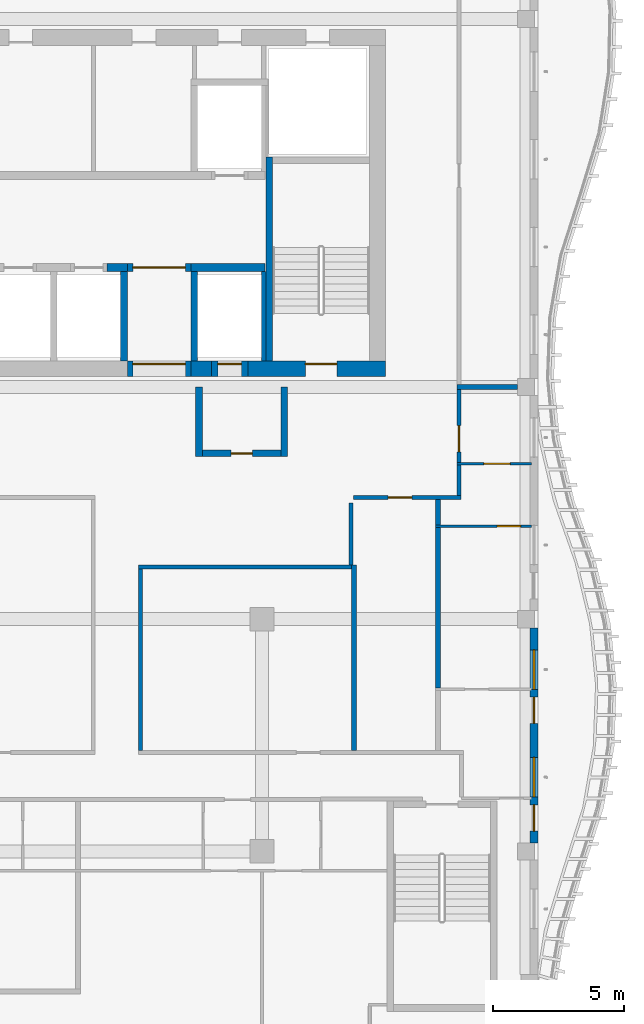
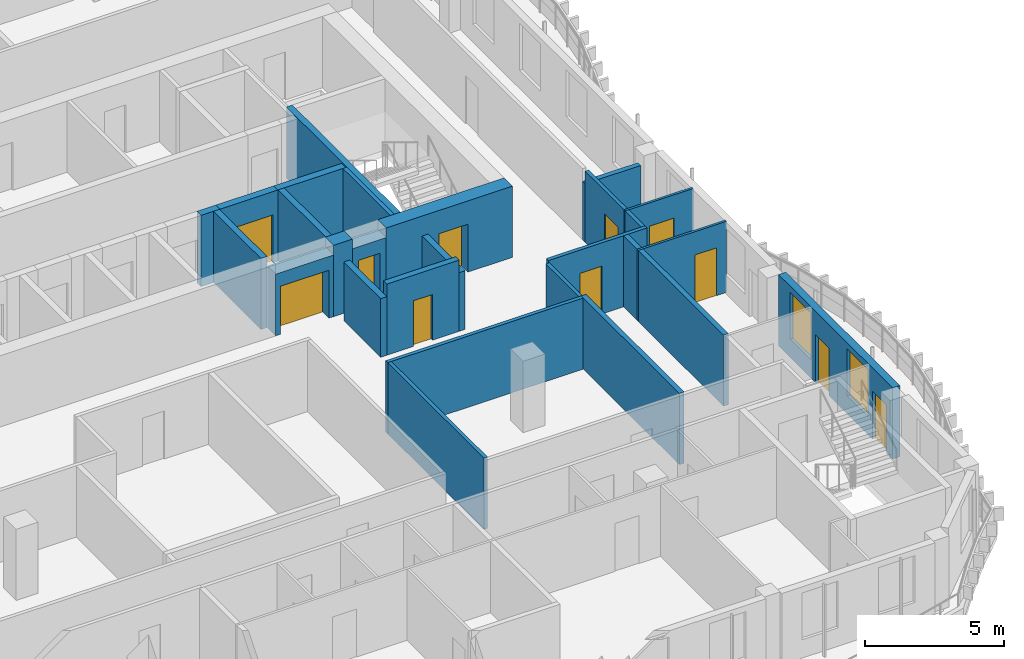
# One storey, part 6 of 18: 27 walls, 11 doors, 2 windows, 13 openings.
"""IFC4 building model written with IfcOpenShell, lengths in metres."""

from ifc_helpers import new_model, si_unit, direction, frame, frame_2d, origin, place, context, subcontext, project, spatial, rectangle, extrude, source, transform, mapped, material, layer, layer_set, type_object, element, fill, save


model = new_model("IFC4")

# Units and contexts
model_context = context("Model", 3, precision=1e-05, world=origin(), true_north=direction((0.0, 1.0)))
body_context = subcontext(model_context, "Body", "Model", "MODEL_VIEW")
ifc_project = project(units=[si_unit("LENGTHUNIT", "METRE"), si_unit("AREAUNIT", "SQUARE_METRE"), si_unit("VOLUMEUNIT", "CUBIC_METRE"), si_unit("PLANEANGLEUNIT", "RADIAN"), si_unit("MASSUNIT", "GRAM", prefix="KILO")], contexts=[model_context])

# Site, building, storey
site_placement = place(None, origin())
site = spatial("IfcSite", under=ifc_project, at=site_placement, CompositionType="ELEMENT")
building_placement = place(site_placement, origin())
building = spatial("IfcBuilding", under=site, at=building_placement, Name="Kilnfold Tower and Market Hall", CompositionType="ELEMENT")
storey_placement = place(building_placement, frame((0.0, 0.0, 270.39990234375)))
storey = spatial("IfcBuildingStorey", under=building, at=storey_placement, Name="L66", CompositionType="ELEMENT", Elevation=270.39990234375)

# Wall
ifc_material_1 = material(Name="Gypsum board on steel studs", Category="steel")
ifc_layer_1 = layer(ifc_material_1, 0.14990234375)
ifc_layer_set_1 = layer_set([ifc_layer_1], Name="Gypsum board on steel studs")
wall_type_1 = type_object("IfcWallType", Name="WALL CORRIDOR 150", PredefinedType="PARTITIONING", material=ifc_layer_set_1)
wall_1_placement = place(storey_placement, frame((20.5, 3.875, 0.0), z_axis=(0.0, 0.0, 1.0), x_axis=(0.0, 1.0, 0.0)))
element("IfcWall", 1, at=wall_1_placement, inside=storey, type_object=wall_type_1, Name="Partition LY41.18", PredefinedType="PARTITIONING", context=body_context, shape_type="SweptSolid", body=[
    extrude(rectangle(XDim=1.16796875, YDim=0.14990234375, at=frame_2d((0.583984375, 0.0))), origin(), (0.0, 0.0, 1.0), 3.1201171875),
])

# Wall, opening, door
wall_2_placement = place(storey_placement, frame((20.5, 5.123046875, 0.0), z_axis=(0.0, 0.0, 1.0), x_axis=(0.0, 1.0, 0.0)))
wall_2 = element("IfcWall", 2, at=wall_2_placement, inside=storey, type_object=wall_type_1, Name="Partition LY41.19", PredefinedType="PARTITIONING", context=body_context, shape_type="SweptSolid", body=[
    extrude(rectangle(XDim=2.786865234375, YDim=0.14990234375, at=frame_2d((1.3935546875, 0.0))), origin(), (0.0, 0.0, 1.0), 3.1201171875),
])
opening_1_placement = place(wall_2_placement, frame((0.4130859375, 0.0, 0.0)))
opening_1 = element("IfcOpeningElement", 3, at=opening_1_placement, cuts=wall_2, Name="Opening D1", PredefinedType="OPENING", context=body_context, shape_type="SweptSolid", body=[
    extrude(rectangle(XDim=1.0, YDim=2.10009765625, at=frame_2d((0.5, 1.050048828125))), frame((0.0, 0.0849609375, 0.0), z_axis=(0.0, -1.0, 0.0), x_axis=(1.0, 0.0, 0.0)), (0.0, 0.0, 1.0), 0.169921875),
])
ifc_material_2 = material(Name="Timber veneer door leaf in steel frame", Category="steel")
door_type_1 = type_object("IfcDoorType", Name="DOOR ENTRY 1000 X2100", OperationType="NOTDEFINED", PredefinedType="DOOR", material=ifc_material_2)
door_1_placement = place(opening_1_placement, origin())
door_1 = element("IfcDoor", 4, at=door_1_placement, inside=storey, type_object=door_type_1, Name="Door D1", OperationType="SINGLE_SWING_LEFT", OverallHeight=2.10009765625, OverallWidth=1.0, PredefinedType="DOOR", context=body_context, shape_type="SweptSolid", body=[
    extrude(rectangle(XDim=1.0, YDim=2.10009765625, at=frame_2d((0.5, 1.050048828125))), frame((0.0, 0.02490234375, 0.0), z_axis=(0.0, -1.0, 0.0), x_axis=(1.0, 0.0, 0.0)), (0.0, 0.0, 1.0), 0.050048828125),
])
fill(opening_1, door_1)

# Walls
wall_3_placement = place(storey_placement, frame((16.3798828125, 1.22509765625, 0.0), z_axis=(0.0, 0.0, 1.0), x_axis=(0.0, 1.0, 0.0)))
element("IfcWall", 5, at=wall_3_placement, inside=storey, type_object=wall_type_1, Name="Partition LY41.32", PredefinedType="PARTITIONING", context=body_context, shape_type="SweptSolid", body=[
    extrude(rectangle(XDim=2.367919921875, YDim=0.14990234375, at=frame_2d((1.18408203125, 0.0))), origin(), (0.0, 0.0, 1.0), 3.1201171875),
])
wall_4_placement = place(storey_placement, frame((8.304931640625, 1.14990234375, 0.0), z_axis=(0.0, 0.0, 1.0), x_axis=(1.0, 0.0, 0.0)))
element("IfcWall", 6, at=wall_4_placement, inside=storey, type_object=wall_type_1, Name="Partition LY41.33", PredefinedType="PARTITIONING", context=body_context, shape_type="SweptSolid", body=[
    extrude(rectangle(XDim=8.094970703125, YDim=0.14990234375, at=frame_2d((4.04736328125, 0.0))), origin(), (0.0, 0.0, 1.0), 3.1201171875),
])
wall_5_placement = place(storey_placement, frame((8.3798828125, -5.824951171875, 0.0), z_axis=(0.0, 0.0, 1.0), x_axis=(0.0, 1.0, 0.0)))
element("IfcWall", 7, at=wall_5_placement, inside=storey, type_object=wall_type_1, Name="Partition LY41.34", PredefinedType="PARTITIONING", context=body_context, shape_type="SweptSolid", body=[
    extrude(rectangle(XDim=6.89990234375, YDim=0.14990234375, at=frame_2d((3.449951171875, 0.0))), origin(), (0.0, 0.0, 1.0), 3.1201171875),
])

# Wall, opening, door
wall_6_placement = place(storey_placement, frame((16.489990234375, 3.800048828125, 0.0), z_axis=(0.0, 0.0, 1.0), x_axis=(1.0, 0.0, 0.0)))
wall_6 = element("IfcWall", 8, at=wall_6_placement, inside=storey, type_object=wall_type_1, Name="Partition LY41.36", PredefinedType="PARTITIONING", context=body_context, shape_type="SweptSolid", body=[
    extrude(rectangle(XDim=4.0849609375, YDim=0.14990234375, at=frame_2d((2.04248046875, 0.0))), origin(), (0.0, 0.0, 1.0), 3.1201171875),
])
opening_2_placement = place(wall_6_placement, frame((1.31201171875, 0.0, 0.0)))
opening_2 = element("IfcOpeningElement", 9, at=opening_2_placement, cuts=wall_6, Name="Opening D2", PredefinedType="OPENING", context=body_context, shape_type="SweptSolid", body=[
    extrude(rectangle(XDim=0.89990234375, YDim=2.10009765625, at=frame_2d((0.449951171875, 1.050048828125))), frame((0.0, 0.0849609375, 0.0), z_axis=(0.0, -1.0, 0.0), x_axis=(1.0, 0.0, 0.0)), (0.0, 0.0, 1.0), 0.169921875),
])
ifc_material_3 = material(Name="Timber veneer door leaf in steel frame", Category="steel")
door_type_2 = type_object("IfcDoorType", Name="DOOR ROOM 900 X2100", OperationType="NOTDEFINED", PredefinedType="DOOR", material=ifc_material_3)
door_2_placement = place(opening_2_placement, origin())
door_2 = element("IfcDoor", 10, at=door_2_placement, inside=storey, type_object=door_type_2, Name="Door D2", OperationType="SINGLE_SWING_RIGHT", OverallHeight=2.10009765625, OverallWidth=0.89990234375, PredefinedType="DOOR", context=body_context, shape_type="SweptSolid", body=[
    extrude(rectangle(XDim=0.89990234375, YDim=2.10009765625, at=frame_2d((0.449951171875, 1.050048828125))), frame((0.0, 0.02490234375, 0.0), z_axis=(0.0, -1.0, 0.0), x_axis=(1.0, 0.0, 0.0)), (0.0, 0.0, 1.0), 0.050048828125),
])
fill(opening_2, door_2)

ifc_material_4 = material(Name="Gypsum board on steel studs", Category="steel")
ifc_layer_2 = layer(ifc_material_4, 0.10009765625)
ifc_layer_set_2 = layer_set([ifc_layer_2], Name="Gypsum board on steel studs")
wall_type_2 = type_object("IfcWallType", Name="WALL PARTITION 100", PredefinedType="PARTITIONING", material=ifc_layer_set_2)
wall_7_placement = place(storey_placement, frame((23.25, 2.7099609375, 0.0), z_axis=(0.0, 0.0, 1.0), x_axis=(-1.0, 0.0, 0.0)))
wall_7 = element("IfcWall", 11, at=wall_7_placement, inside=storey, type_object=wall_type_2, Name="Partition LY41.75", PredefinedType="PARTITIONING", context=body_context, shape_type="SweptSolid", body=[
    extrude(rectangle(XDim=3.64990234375, YDim=0.10009765625, at=frame_2d((1.824951171875, 0.0))), origin(), (0.0, 0.0, 1.0), 3.1201171875),
])
opening_3_placement = place(wall_7_placement, frame((0.404052734375, 0.0, 0.0)))
opening_3 = element("IfcOpeningElement", 12, at=opening_3_placement, cuts=wall_7, Name="Opening D2", PredefinedType="OPENING", context=body_context, shape_type="SweptSolid", body=[
    extrude(rectangle(XDim=0.89990234375, YDim=2.10009765625, at=frame_2d((0.449951171875, 1.050048828125))), frame((0.0, 0.06005859375, 0.0), z_axis=(0.0, -1.0, 0.0), x_axis=(1.0, 0.0, 0.0)), (0.0, 0.0, 1.0), 0.1201171875),
])
door_3_placement = place(opening_3_placement, origin())
door_3 = element("IfcDoor", 13, at=door_3_placement, inside=storey, type_object=door_type_2, Name="Door D2", OperationType="SINGLE_SWING_RIGHT", OverallHeight=2.10009765625, OverallWidth=0.89990234375, PredefinedType="DOOR", context=body_context, shape_type="SweptSolid", body=[
    extrude(rectangle(XDim=0.89990234375, YDim=2.10009765625, at=frame_2d((0.449951171875, 1.050048828125))), frame((0.0, 0.02490234375, 0.0), z_axis=(0.0, -1.0, 0.0), x_axis=(1.0, 0.0, 0.0)), (0.0, 0.0, 1.0), 0.050048828125),
])
fill(opening_3, door_3)

wall_8_placement = place(storey_placement, frame((23.25, 5.0830078125, 0.0), z_axis=(0.0, 0.0, 1.0), x_axis=(-1.0, 0.0, 0.0)))
wall_8 = element("IfcWall", 14, at=wall_8_placement, inside=storey, type_object=wall_type_2, Name="Partition LY41.77", PredefinedType="PARTITIONING", context=body_context, shape_type="SweptSolid", body=[
    extrude(rectangle(XDim=2.822998046875, YDim=0.10009765625, at=frame_2d((1.41162109375, 0.0))), origin(), (0.0, 0.0, 1.0), 3.1201171875),
])
opening_4_placement = place(wall_8_placement, frame((0.81005859375, 0.0, 0.0)))
opening_4 = element("IfcOpeningElement", 15, at=opening_4_placement, cuts=wall_8, Name="Opening D1", PredefinedType="OPENING", context=body_context, shape_type="SweptSolid", body=[
    extrude(rectangle(XDim=1.0, YDim=2.10009765625, at=frame_2d((0.5, 1.050048828125))), frame((0.0, 0.06005859375, 0.0), z_axis=(0.0, -1.0, 0.0), x_axis=(1.0, 0.0, 0.0)), (0.0, 0.0, 1.0), 0.1201171875),
])
door_4_placement = place(opening_4_placement, origin())
door_4 = element("IfcDoor", 16, at=door_4_placement, inside=storey, type_object=door_type_1, Name="Door D1", OperationType="SINGLE_SWING_RIGHT", OverallHeight=2.10009765625, OverallWidth=1.0, PredefinedType="DOOR", context=body_context, shape_type="SweptSolid", body=[
    extrude(rectangle(XDim=1.0, YDim=2.10009765625, at=frame_2d((0.5, 1.050048828125))), frame((0.0, 0.02490234375, 0.0), z_axis=(0.0, -1.0, 0.0), x_axis=(1.0, 0.0, 0.0)), (0.0, 0.0, 1.0), 0.050048828125),
])
fill(opening_4, door_4)

# Walls
ifc_material_5 = material(Name="Gypsum board on steel studs", Category="steel")
ifc_layer_3 = layer(ifc_material_5, 0.199951171875)
ifc_layer_set_3 = layer_set([ifc_layer_3], Name="Gypsum board on steel studs")
wall_type_3 = type_object("IfcWallType", Name="WALL PARTY 200", PredefinedType="PARTITIONING", material=ifc_layer_set_3)
wall_9_placement = place(storey_placement, frame((19.699951171875, -3.449951171875, 0.0), z_axis=(0.0, 0.0, 1.0), x_axis=(0.0, 1.0, 0.0)))
element("IfcWall", 17, at=wall_9_placement, inside=storey, type_object=wall_type_3, Name="Partition LY41.76", PredefinedType="PARTITIONING", context=body_context, shape_type="SweptSolid", body=[
    extrude(rectangle(XDim=6.10986328125, YDim=0.199951171875, at=frame_2d((3.054931640625, 0.0))), origin(), (0.0, 0.0, 1.0), 3.1201171875),
])
wall_10_placement = place(storey_placement, frame((19.699951171875, 2.760009765625, 0.0), z_axis=(0.0, 0.0, 1.0), x_axis=(0.0, 1.0, 0.0)))
element("IfcWall", 18, at=wall_10_placement, inside=storey, type_object=wall_type_3, Name="Partition LY41.78", PredefinedType="PARTITIONING", context=body_context, shape_type="SweptSolid", body=[
    extrude(rectangle(XDim=0.962890625, YDim=0.199951171875, at=frame_2d((0.4814453125, 0.0))), origin(), (0.0, 0.0, 1.0), 3.1201171875),
])
wall_11_placement = place(storey_placement, frame((20.427001953125, 8.0, 0.0), z_axis=(0.0, 0.0, 1.0), x_axis=(1.0, 0.0, 0.0)))
element("IfcWall", 19, at=wall_11_placement, inside=storey, type_object=wall_type_3, Name="Partition LY41.79", PredefinedType="PARTITIONING", context=body_context, shape_type="SweptSolid", body=[
    extrude(rectangle(XDim=2.298095703125, YDim=0.199951171875, at=frame_2d((1.14892578125, 0.0))), origin(), (0.0, 0.0, 1.0), 2.570068359375),
])
wall_12_placement = place(storey_placement, frame((16.5, -5.822998046875, 0.0), z_axis=(0.0, 0.0, 1.0), x_axis=(0.0, 1.0, 0.0)))
element("IfcWall", 20, at=wall_12_placement, inside=storey, type_object=wall_type_3, Name="Partition LY41.99", PredefinedType="PARTITIONING", context=body_context, shape_type="SweptSolid", body=[
    extrude(rectangle(XDim=7.048095703125, YDim=0.199951171875, at=frame_2d((3.52392578125, 0.0))), origin(), (0.0, 0.0, 1.0), 3.1201171875),
])
ifc_material_6 = material(Name="Concrete C50", Category="concrete")
ifc_layer_4 = layer(ifc_material_6, 0.25)
ifc_layer_set_4 = layer_set([ifc_layer_4], Name="Concrete C50")
wall_type_4 = type_object("IfcWallType", Name="CORE WALL 250 C50", PredefinedType="SHEAR", material=ifc_layer_set_4)
shared_shape_1 = source(origin(), body_context, "Body", "SweptSolid", [
    extrude(rectangle(XDim=7.75, YDim=0.25, at=frame_2d((3.875, 0.0))), origin(), (0.0, 0.0, 1.0), 3.1201171875),
])
wall_13_placement = place(storey_placement, frame((13.27490234375, 9.0, 0.0), z_axis=(0.0, 0.0, 1.0), x_axis=(0.0, 1.0, 0.0)))
element("IfcWall", 21, at=wall_13_placement, inside=storey, type_object=wall_type_4, Name="Stair enclosure ST2", PredefinedType="SHEAR", context=body_context, shape_type="MappedRepresentation", body=[
    mapped(shared_shape_1, transform((0.0, 0.0, 0.0))),
])
ifc_material_7 = material(Name="Concrete C50", Category="concrete")
ifc_layer_5 = layer(ifc_material_7, 0.300048828125)
ifc_layer_set_5 = layer_set([ifc_layer_5], Name="Concrete C50")
wall_type_5 = type_object("IfcWallType", Name="CORE WALL 300 C50", PredefinedType="SHEAR", material=ifc_layer_set_5)
shared_shape_2 = source(origin(), body_context, "Body", "SweptSolid", [
    extrude(rectangle(XDim=0.77978515625, YDim=0.300048828125, at=frame_2d((0.389892578125, 0.0))), origin(), (0.0, 0.0, 1.0), 3.1201171875),
])
wall_14_placement = place(storey_placement, frame((7.110107421875, 12.550048828125, 0.0), z_axis=(0.0, 0.0, 1.0), x_axis=(1.0, 0.0, 0.0)))
element("IfcWall", 22, at=wall_14_placement, inside=storey, type_object=wall_type_5, Name="Core spine wall", PredefinedType="SHEAR", context=body_context, shape_type="MappedRepresentation", body=[
    mapped(shared_shape_2, transform((0.0, 0.0, 0.0))),
])
shared_shape_3 = source(origin(), body_context, "Body", "SweptSolid", [
    extrude(rectangle(XDim=2.820068359375, YDim=0.300048828125, at=frame_2d((1.41015625, 0.0))), origin(), (0.0, 0.0, 1.0), 3.1201171875),
])
wall_15_placement = place(storey_placement, frame((10.2900390625, 12.550048828125, 0.0), z_axis=(0.0, 0.0, 1.0), x_axis=(1.0, 0.0, 0.0)))
element("IfcWall", 23, at=wall_15_placement, inside=storey, type_object=wall_type_5, Name="Core spine wall", PredefinedType="SHEAR", context=body_context, shape_type="MappedRepresentation", body=[
    mapped(shared_shape_3, transform((0.0, 0.0, 0.0))),
])

# Wall, opening, door
ifc_material_8 = material(Name="Concrete C50", Category="concrete")
ifc_layer_6 = layer(ifc_material_8, 0.60009765625)
ifc_layer_set_6 = layer_set([ifc_layer_6], Name="Concrete C50")
wall_type_6 = type_object("IfcWallType", Name="CORE WALL 600 C50", PredefinedType="SHEAR", material=ifc_layer_set_6)
shared_shape_4 = source(origin(), body_context, "Body", "SweptSolid", [
    extrude(rectangle(XDim=5.22998046875, YDim=0.60009765625, at=frame_2d((2.614990234375, 0.0))), origin(), (0.0, 0.0, 1.0), 3.1201171875),
])
wall_16_placement = place(storey_placement, frame((12.469970703125, 8.699951171875, 0.0), z_axis=(0.0, 0.0, 1.0), x_axis=(1.0, 0.0, 0.0)))
wall_16 = element("IfcWall", 24, at=wall_16_placement, inside=storey, type_object=wall_type_6, Name="Core outer wall south", PredefinedType="SHEAR", context=body_context, shape_type="MappedRepresentation", body=[
    mapped(shared_shape_4, transform((0.0, 0.0, 0.0))),
])
opening_5_placement = place(wall_16_placement, frame((2.179931640625, 0.0, 0.0)))
opening_5 = element("IfcOpeningElement", 25, at=opening_5_placement, cuts=wall_16, Name="Opening SD1", PredefinedType="OPENING", context=body_context, shape_type="SweptSolid", body=[
    extrude(rectangle(XDim=1.199951171875, YDim=2.10009765625, at=frame_2d((0.60009765625, 1.050048828125))), frame((0.0, 0.31005859375, 0.0), z_axis=(0.0, -1.0, 0.0), x_axis=(1.0, 0.0, 0.0)), (0.0, 0.0, 1.0), 0.6201171875),
])
ifc_material_9 = material(Name="Steel door set with fire-resisting leaf", Category="steel")
door_type_3 = type_object("IfcDoorType", Name="STAIR FLOOR DOOR 1200X2100", OperationType="NOTDEFINED", PredefinedType="DOOR", material=ifc_material_9)
door_5_placement = place(opening_5_placement, origin())
door_5 = element("IfcDoor", 26, at=door_5_placement, inside=storey, type_object=door_type_3, Name="Exit stair ST2 door", OperationType="DOUBLE_DOOR_SINGLE_SWING", OverallHeight=2.10009765625, OverallWidth=1.199951171875, PredefinedType="DOOR", context=body_context, shape_type="SweptSolid", body=[
    extrude(rectangle(XDim=1.199951171875, YDim=2.10009765625, at=frame_2d((0.60009765625, 1.050048828125))), frame((0.0, 0.205078125, 0.0), z_axis=(0.0, -1.0, 0.0), x_axis=(1.0, 0.0, 0.0)), (0.0, 0.0, 1.0), 0.050048828125),
])
fill(opening_5, door_5)

# Wall
shared_shape_5 = source(origin(), body_context, "Body", "SweptSolid", [
    extrude(rectangle(XDim=0.780029296875, YDim=0.60009765625, at=frame_2d((0.39013671875, 0.0))), origin(), (0.0, 0.0, 1.0), 3.1201171875),
])
wall_17_placement = place(storey_placement, frame((10.2900390625, 8.699951171875, 0.0), z_axis=(0.0, 0.0, 1.0), x_axis=(1.0, 0.0, 0.0)))
element("IfcWall", 27, at=wall_17_placement, inside=storey, type_object=wall_type_6, Name="Core outer wall south", PredefinedType="SHEAR", context=body_context, shape_type="MappedRepresentation", body=[
    mapped(shared_shape_5, transform((0.0, 0.0, 0.0))),
])

# Wall, openings, doors, windows
ifc_material_10 = material(Name="Precast concrete C50/60", Category="concrete")
ifc_layer_7 = layer(ifc_material_10, 0.300048828125)
ifc_layer_set_7 = layer_set([ifc_layer_7], Name="Precast concrete C50/60")
wall_type_7 = type_object("IfcWallType", Name="PRECAST WALL 300", PredefinedType="SOLIDWALL", material=ifc_layer_set_7)
shared_shape_6 = source(origin(), body_context, "Body", "SweptSolid", [
    extrude(rectangle(XDim=8.18359375, YDim=0.300048828125, at=frame_2d((4.091796875, 0.0))), origin(), (0.0, 0.0, 1.0), 3.1201171875),
])
wall_18_placement = place(storey_placement, frame((23.35009765625, -9.341796875, 0.0), z_axis=(0.0, 0.0, 1.0), x_axis=(0.0, 1.0, 0.0)))
wall_18 = element("IfcWall", 28, at=wall_18_placement, inside=storey, type_object=wall_type_7, Name="External wall L66 E", PredefinedType="SOLIDWALL", context=body_context, shape_type="MappedRepresentation", body=[
    mapped(shared_shape_6, transform((0.0, 0.0, 0.0))),
])
opening_6_placement = place(wall_18_placement, frame((1.75, 0.0, 0.800048828125)))
opening_6 = element("IfcOpeningElement", 29, at=opening_6_placement, cuts=wall_18, Name="Opening W5", PredefinedType="OPENING", context=body_context, shape_type="SweptSolid", body=[
    extrude(rectangle(XDim=1.5, YDim=2.050048828125, at=frame_2d((0.75, 1.02490234375))), frame((0.0, 0.16015625, 0.0), z_axis=(0.0, -1.0, 0.0), x_axis=(1.0, 0.0, 0.0)), (0.0, 0.0, 1.0), 0.320068359375),
])
opening_7_placement = place(wall_18_placement, frame((0.449951171875, 0.0, 0.0)))
opening_7 = element("IfcOpeningElement", 30, at=opening_7_placement, cuts=wall_18, Name="Opening BD1", PredefinedType="OPENING", context=body_context, shape_type="SweptSolid", body=[
    extrude(rectangle(XDim=1.0, YDim=2.10009765625, at=frame_2d((0.5, 1.050048828125))), frame((0.0, 0.16015625, 0.0), z_axis=(0.0, -1.0, 0.0), x_axis=(1.0, 0.0, 0.0)), (0.0, 0.0, 1.0), 0.320068359375),
])
opening_8_placement = place(wall_18_placement, frame((5.841796875, 0.0, 0.800048828125)))
opening_8 = element("IfcOpeningElement", 31, at=opening_8_placement, cuts=wall_18, Name="Opening W5", PredefinedType="OPENING", context=body_context, shape_type="SweptSolid", body=[
    extrude(rectangle(XDim=1.5, YDim=2.050048828125, at=frame_2d((0.75, 1.02490234375))), frame((0.0, 0.16015625, 0.0), z_axis=(0.0, -1.0, 0.0), x_axis=(1.0, 0.0, 0.0)), (0.0, 0.0, 1.0), 0.320068359375),
])
opening_9_placement = place(wall_18_placement, frame((4.541748046875, 0.0, 0.0)))
opening_9 = element("IfcOpeningElement", 32, at=opening_9_placement, cuts=wall_18, Name="Opening BD1", PredefinedType="OPENING", context=body_context, shape_type="SweptSolid", body=[
    extrude(rectangle(XDim=1.0, YDim=2.10009765625, at=frame_2d((0.5, 1.050048828125))), frame((0.0, 0.16015625, 0.0), z_axis=(0.0, -1.0, 0.0), x_axis=(1.0, 0.0, 0.0)), (0.0, 0.0, 1.0), 0.320068359375),
])
ifc_material_11 = material(Name="Aluminium frame and double glazing", Category="aluminium")
door_type_4 = type_object("IfcDoorType", Name="BALCONY DOOR 1000X2100", OperationType="NOTDEFINED", PredefinedType="DOOR", material=ifc_material_11)
door_6_placement = place(opening_7_placement, origin())
door_6 = element("IfcDoor", 33, at=door_6_placement, inside=storey, type_object=door_type_4, Name="Balcony door BD1 L66 E-1", OperationType="SINGLE_SWING_LEFT", OverallHeight=2.10009765625, OverallWidth=1.0, PredefinedType="DOOR", context=body_context, shape_type="SweptSolid", body=[
    extrude(rectangle(XDim=1.0, YDim=2.10009765625, at=frame_2d((0.5, 1.050048828125))), frame((0.0, 0.02490234375, 0.0), z_axis=(0.0, -1.0, 0.0), x_axis=(1.0, 0.0, 0.0)), (0.0, 0.0, 1.0), 0.050048828125),
])
fill(opening_7, door_6)
door_7_placement = place(opening_9_placement, origin())
door_7 = element("IfcDoor", 34, at=door_7_placement, inside=storey, type_object=door_type_4, Name="Balcony door BD1 L66 E-2", OperationType="SINGLE_SWING_RIGHT", OverallHeight=2.10009765625, OverallWidth=1.0, PredefinedType="DOOR", context=body_context, shape_type="SweptSolid", body=[
    extrude(rectangle(XDim=1.0, YDim=2.10009765625, at=frame_2d((0.5, 1.050048828125))), frame((0.0, 0.02490234375, 0.0), z_axis=(0.0, -1.0, 0.0), x_axis=(1.0, 0.0, 0.0)), (0.0, 0.0, 1.0), 0.050048828125),
])
fill(opening_9, door_7)
ifc_material_12 = material(Name="Aluminium frame and double glazing", Category="aluminium")
window_type = type_object("IfcWindowType", Name="WINDOW W5 1500X2050", PartitioningType="SINGLE_PANEL", PredefinedType="WINDOW", material=ifc_material_12)
window_1_placement = place(opening_6_placement, origin())
window_1 = element("IfcWindow", 35, at=window_1_placement, inside=storey, type_object=window_type, Name="Window W5 L66 E-1", OverallHeight=2.050048828125, OverallWidth=1.5, PartitioningType="SINGLE_PANEL", PredefinedType="WINDOW", context=body_context, shape_type="SweptSolid", body=[
    extrude(rectangle(XDim=1.5, YDim=2.050048828125, at=frame_2d((0.75, 1.02490234375))), frame((0.0, 0.030029296875, 0.0), z_axis=(0.0, -1.0, 0.0), x_axis=(1.0, 0.0, 0.0)), (0.0, 0.0, 1.0), 0.06005859375),
])
fill(opening_6, window_1)
window_2_placement = place(opening_8_placement, origin())
window_2 = element("IfcWindow", 36, at=window_2_placement, inside=storey, type_object=window_type, Name="Window W5 L66 E-2", OverallHeight=2.050048828125, OverallWidth=1.5, PartitioningType="SINGLE_PANEL", PredefinedType="WINDOW", context=body_context, shape_type="SweptSolid", body=[
    extrude(rectangle(XDim=1.5, YDim=2.050048828125, at=frame_2d((0.75, 1.02490234375))), frame((0.0, 0.030029296875, 0.0), z_axis=(0.0, -1.0, 0.0), x_axis=(1.0, 0.0, 0.0)), (0.0, 0.0, 1.0), 0.06005859375),
])
fill(opening_8, window_2)

# Wall, opening, door
ifc_material_13 = material(Name="Gypsum shaft wall system")
ifc_layer_8 = layer(ifc_material_13, 0.300048828125)
ifc_layer_set_8 = layer_set([ifc_layer_8], Name="Gypsum shaft wall system")
wall_type_8 = type_object("IfcWallType", Name="SHAFT WALL 300", PredefinedType="PARTITIONING", material=ifc_layer_set_8)
shared_shape_7 = source(origin(), body_context, "Body", "SweptSolid", [
    extrude(rectangle(XDim=2.400146484375, YDim=0.300048828125, at=frame_2d((1.2001953125, 0.0))), origin(), (0.0, 0.0, 1.0), 3.1201171875),
])
wall_19_placement = place(storey_placement, frame((7.889892578125, 12.550048828125, 0.0), z_axis=(0.0, 0.0, 1.0), x_axis=(1.0, 0.0, 0.0)))
wall_19 = element("IfcWall", 37, at=wall_19_placement, inside=storey, type_object=wall_type_8, Name="Lift shaft front wall", PredefinedType="PARTITIONING", context=body_context, shape_type="MappedRepresentation", body=[
    mapped(shared_shape_7, transform((0.0, 0.0, 0.0))),
])
opening_10_placement = place(wall_19_placement, frame((0.199951171875, 0.0, 0.0)))
opening_10 = element("IfcOpeningElement", 38, at=opening_10_placement, cuts=wall_19, Name="Opening VD2", PredefinedType="OPENING", context=body_context, shape_type="SweptSolid", body=[
    extrude(rectangle(XDim=2.0, YDim=2.10009765625, at=frame_2d((1.0, 1.050048828125))), frame((0.0, 0.16015625, 0.0), z_axis=(0.0, -1.0, 0.0), x_axis=(1.0, 0.0, 0.0)), (0.0, 0.0, 1.0), 0.320068359375),
])
ifc_material_14 = material(Name="Steel door set with fire-resisting leaf", Category="steel")
door_type_5 = type_object("IfcDoorType", Name="LIFT LOBBY ENTRANCE DOOR 2000X2100", OperationType="NOTDEFINED", PredefinedType="DOOR", material=ifc_material_14)
door_8_placement = place(opening_10_placement, origin())
door_8 = element("IfcDoor", 39, at=door_8_placement, inside=storey, type_object=door_type_5, Name="Lift lobby entrance door", OperationType="DOUBLE_DOOR_SINGLE_SWING", OverallHeight=2.10009765625, OverallWidth=2.0, PredefinedType="DOOR", context=body_context, shape_type="SweptSolid", body=[
    extrude(rectangle(XDim=2.0, YDim=2.10009765625, at=frame_2d((1.0, 1.050048828125))), frame((0.0, 0.02490234375, 0.0), z_axis=(0.0, -1.0, 0.0), x_axis=(1.0, 0.0, 0.0)), (0.0, 0.0, 1.0), 0.050048828125),
])
fill(opening_10, door_8)

ifc_material_15 = material(Name="Gypsum shaft wall system")
ifc_layer_9 = layer(ifc_material_15, 0.25)
ifc_layer_set_9 = layer_set([ifc_layer_9], Name="Gypsum shaft wall system")
wall_type_9 = type_object("IfcWallType", Name="LOBBY WALL 250", PredefinedType="PARTITIONING", material=ifc_layer_set_9)
shared_shape_8 = source(origin(), body_context, "Body", "SweptSolid", [
    extrude(rectangle(XDim=3.0, YDim=0.25, at=frame_2d((1.5, 0.0))), origin(), (0.0, 0.0, 1.0), 3.1201171875),
])
wall_20_placement = place(storey_placement, frame((10.72998046875, 5.47509765625, 0.0), z_axis=(0.0, 0.0, 1.0), x_axis=(1.0, 0.0, 0.0)))
wall_20 = element("IfcWall", 40, at=wall_20_placement, inside=storey, type_object=wall_type_9, Name="Firefighting lobby wall", PredefinedType="PARTITIONING", context=body_context, shape_type="MappedRepresentation", body=[
    mapped(shared_shape_8, transform((0.0, 0.0, 0.0))),
])
opening_11_placement = place(wall_20_placement, frame((1.10009765625, 0.0, 0.0)))
opening_11 = element("IfcOpeningElement", 41, at=opening_11_placement, cuts=wall_20, Name="Opening VD1", PredefinedType="OPENING", context=body_context, shape_type="SweptSolid", body=[
    extrude(rectangle(XDim=0.800048828125, YDim=2.0, at=frame_2d((0.39990234375, 1.0))), frame((0.0, 0.135009765625, 0.0), z_axis=(0.0, -1.0, 0.0), x_axis=(1.0, 0.0, 0.0)), (0.0, 0.0, 1.0), 0.27001953125),
])
ifc_material_16 = material(Name="Steel door set with fire-resisting leaf", Category="steel")
door_type_6 = type_object("IfcDoorType", Name="FIREFIGHTING LOBBY DOOR 800X2000", OperationType="NOTDEFINED", PredefinedType="DOOR", material=ifc_material_16)
door_9_placement = place(opening_11_placement, origin())
door_9 = element("IfcDoor", 42, at=door_9_placement, inside=storey, type_object=door_type_6, Name="Firefighting lobby door", OperationType="SINGLE_SWING_RIGHT", OverallHeight=2.0, OverallWidth=0.800048828125, PredefinedType="DOOR", context=body_context, shape_type="SweptSolid", body=[
    extrude(rectangle(XDim=0.800048828125, YDim=2.0, at=frame_2d((0.39990234375, 1.0))), frame((0.0, 0.02490234375, 0.0), z_axis=(0.0, -1.0, 0.0), x_axis=(1.0, 0.0, 0.0)), (0.0, 0.0, 1.0), 0.050048828125),
])
fill(opening_11, door_9)

# Walls
ifc_material_17 = material(Name="Gypsum shaft wall system")
ifc_layer_10 = layer(ifc_material_17, 0.25)
ifc_layer_set_10 = layer_set([ifc_layer_10], Name="Gypsum shaft wall system")
wall_type_10 = type_object("IfcWallType", Name="SHAFT WALL 250", PredefinedType="PARTITIONING", material=ifc_layer_set_10)
shared_shape_9 = source(origin(), body_context, "Body", "SweptSolid", [
    extrude(rectangle(XDim=3.39990234375, YDim=0.25, at=frame_2d((1.699951171875, 0.0))), origin(), (0.0, 0.0, 1.0), 3.1201171875),
])
for number, where, z_axis, x_axis, name in (
    (43, (10.429931640625, 9.0, 0.0), (0.0, 0.0, 1.0), (0.0, 1.0, 0.0), "Lift shaft wall"),
    (44, (7.75, 9.0, 0.0), (0.0, 0.0, 1.0), (0.0, 1.0, 0.0), "Lift shaft wall"),
):
    element("IfcWall", number, at=place(storey_placement, frame(where, z_axis=z_axis, x_axis=x_axis)), inside=storey, type_object=wall_type_10, Name=name, PredefinedType="PARTITIONING", context=body_context, shape_type="MappedRepresentation", body=[
        mapped(shared_shape_9, transform((0.0, 0.0, 0.0))),
    ])
ifc_material_18 = material(Name="Gypsum shaft wall system")
ifc_layer_11 = layer(ifc_material_18, 0.1650390625)
ifc_layer_set_11 = layer_set([ifc_layer_11], Name="Gypsum shaft wall system")
wall_type_11 = type_object("IfcWallType", Name="SHAFT WALL 165", PredefinedType="PARTITIONING", material=ifc_layer_set_11)
shared_shape_10 = source(origin(), body_context, "Body", "SweptSolid", [
    extrude(rectangle(XDim=3.39990234375, YDim=0.1650390625, at=frame_2d((1.699951171875, 0.0))), origin(), (0.0, 0.0, 1.0), 3.1201171875),
])
wall_21_placement = place(storey_placement, frame((13.0673828125, 9.0, 0.0), z_axis=(0.0, 0.0, 1.0), x_axis=(0.0, 1.0, 0.0)))
element("IfcWall", 45, at=wall_21_placement, inside=storey, type_object=wall_type_11, Name="Lift shaft wall", PredefinedType="PARTITIONING", context=body_context, shape_type="MappedRepresentation", body=[
    mapped(shared_shape_10, transform((0.0, 0.0, 0.0))),
])
shared_shape_11 = source(origin(), body_context, "Body", "SweptSolid", [
    extrude(rectangle(XDim=2.64990234375, YDim=0.25, at=frame_2d((1.324951171875, 0.0))), origin(), (0.0, 0.0, 1.0), 2.570068359375),
])
for number, where, z_axis, x_axis, name in (
    (46, (10.60498046875, 5.35009765625, 0.0), (0.0, 0.0, 1.0), (0.0, 1.0, 0.0), "Firefighting lobby wall"),
    (47, (13.85498046875, 5.35009765625, 0.0), (0.0, 0.0, 1.0), (0.0, 1.0, 0.0), "Firefighting lobby wall"),
):
    element("IfcWall", number, at=place(storey_placement, frame(where, z_axis=z_axis, x_axis=x_axis)), inside=storey, type_object=wall_type_9, Name=name, PredefinedType="PARTITIONING", context=body_context, shape_type="MappedRepresentation", body=[
        mapped(shared_shape_11, transform((0.0, 0.0, 0.0))),
    ])

# Wall, opening, door
ifc_material_19 = material(Name="Gypsum shaft wall system")
ifc_layer_12 = layer(ifc_material_19, 0.60009765625)
ifc_layer_set_12 = layer_set([ifc_layer_12], Name="Gypsum shaft wall system")
wall_type_12 = type_object("IfcWallType", Name="LOBBY WALL 600", PredefinedType="PARTITIONING", material=ifc_layer_set_12)
shared_shape_12 = source(origin(), body_context, "Body", "SweptSolid", [
    extrude(rectangle(XDim=1.39990234375, YDim=0.60009765625, at=frame_2d((0.699951171875, 0.0))), origin(), (0.0, 0.0, 1.0), 2.7001953125),
])
wall_22_placement = place(storey_placement, frame((11.070068359375, 8.699951171875, 0.0), z_axis=(0.0, 0.0, 1.0), x_axis=(1.0, 0.0, 0.0)))
wall_22 = element("IfcWall", 48, at=wall_22_placement, inside=storey, type_object=wall_type_12, Name="Core wall infill", PredefinedType="PARTITIONING", context=body_context, shape_type="MappedRepresentation", body=[
    mapped(shared_shape_12, transform((0.0, 0.0, 0.0))),
])
opening_12_placement = place(wall_22_placement, frame((0.25, 0.0, 0.0)))
opening_12 = element("IfcOpeningElement", 49, at=opening_12_placement, cuts=wall_22, Name="Opening LD1", PredefinedType="OPENING", context=body_context, shape_type="SweptSolid", body=[
    extrude(rectangle(XDim=0.89990234375, YDim=2.10009765625, at=frame_2d((0.449951171875, 1.050048828125))), frame((0.0, 0.31005859375, 0.0), z_axis=(0.0, -1.0, 0.0), x_axis=(1.0, 0.0, 0.0)), (0.0, 0.0, 1.0), 0.6201171875),
])
ifc_material_20 = material(Name="Steel door set with fire-resisting leaf", Category="steel")
door_type_7 = type_object("IfcDoorType", Name="FIREFIGHTING LANDING DOOR 900X2100", OperationType="NOTDEFINED", PredefinedType="DOOR", material=ifc_material_20)
door_10_placement = place(opening_12_placement, origin())
door_10 = element("IfcDoor", 50, at=door_10_placement, inside=storey, type_object=door_type_7, Name="Landing door FF3", OperationType="SLIDING_TO_LEFT", OverallHeight=2.10009765625, OverallWidth=0.89990234375, PredefinedType="DOOR", context=body_context, shape_type="SweptSolid", body=[
    extrude(rectangle(XDim=0.89990234375, YDim=2.10009765625, at=frame_2d((0.449951171875, 1.050048828125))), frame((0.0, 0.205078125, 0.0), z_axis=(0.0, -1.0, 0.0), x_axis=(1.0, 0.0, 0.0)), (0.0, 0.0, 1.0), 0.050048828125),
])
fill(opening_12, door_10)

shared_shape_13 = source(origin(), body_context, "Body", "SweptSolid", [
    extrude(rectangle(XDim=2.400146484375, YDim=0.60009765625, at=frame_2d((1.2001953125, 0.0))), origin(), (0.0, 0.0, 1.0), 2.7001953125),
])
wall_23_placement = place(storey_placement, frame((7.889892578125, 8.699951171875, 0.0), z_axis=(0.0, 0.0, 1.0), x_axis=(1.0, 0.0, 0.0)))
wall_23 = element("IfcWall", 51, at=wall_23_placement, inside=storey, type_object=wall_type_12, Name="Core wall infill", PredefinedType="PARTITIONING", context=body_context, shape_type="MappedRepresentation", body=[
    mapped(shared_shape_13, transform((0.0, 0.0, 0.0))),
])
opening_13_placement = place(wall_23_placement, frame((0.199951171875, 0.0, 0.0)))
opening_13 = element("IfcOpeningElement", 52, at=opening_13_placement, cuts=wall_23, Name="Opening VD2", PredefinedType="OPENING", context=body_context, shape_type="SweptSolid", body=[
    extrude(rectangle(XDim=2.0, YDim=2.10009765625, at=frame_2d((1.0, 1.050048828125))), frame((0.0, 0.31005859375, 0.0), z_axis=(0.0, -1.0, 0.0), x_axis=(1.0, 0.0, 0.0)), (0.0, 0.0, 1.0), 0.6201171875),
])
door_11_placement = place(opening_13_placement, origin())
door_11 = element("IfcDoor", 53, at=door_11_placement, inside=storey, type_object=door_type_5, Name="Lift lobby entrance door", OperationType="DOUBLE_DOOR_SINGLE_SWING", OverallHeight=2.10009765625, OverallWidth=2.0, PredefinedType="DOOR", context=body_context, shape_type="SweptSolid", body=[
    extrude(rectangle(XDim=2.0, YDim=2.10009765625, at=frame_2d((1.0, 1.050048828125))), frame((0.0, 0.205078125, 0.0), z_axis=(0.0, -1.0, 0.0), x_axis=(1.0, 0.0, 0.0)), (0.0, 0.0, 1.0), 0.050048828125),
])
fill(opening_13, door_11)

save(model, "model.ifc")
